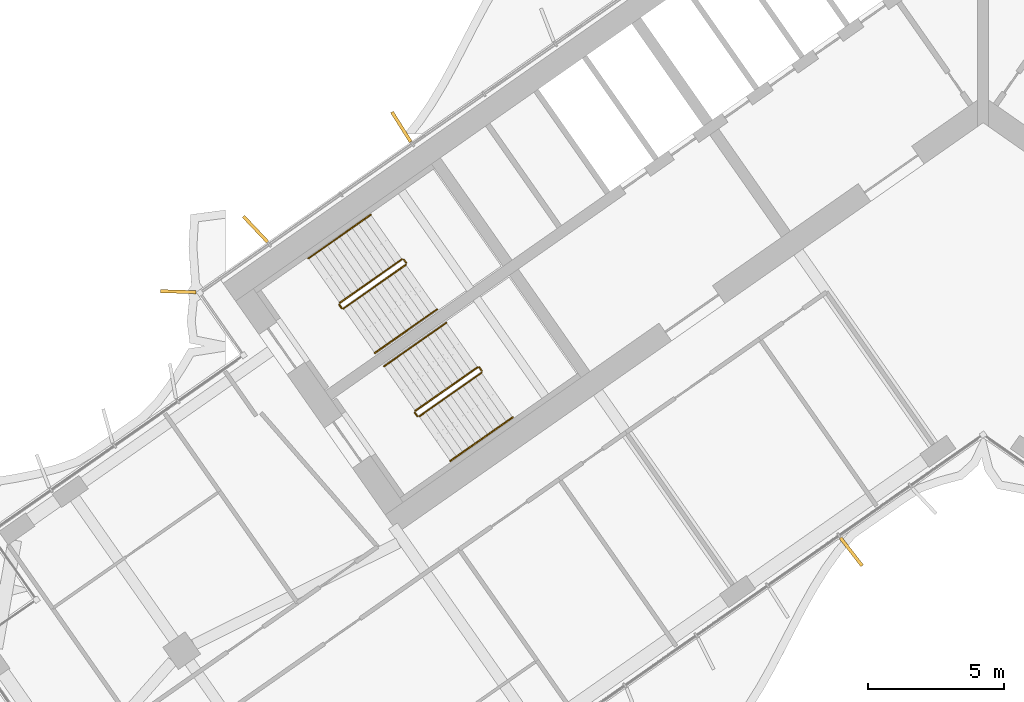
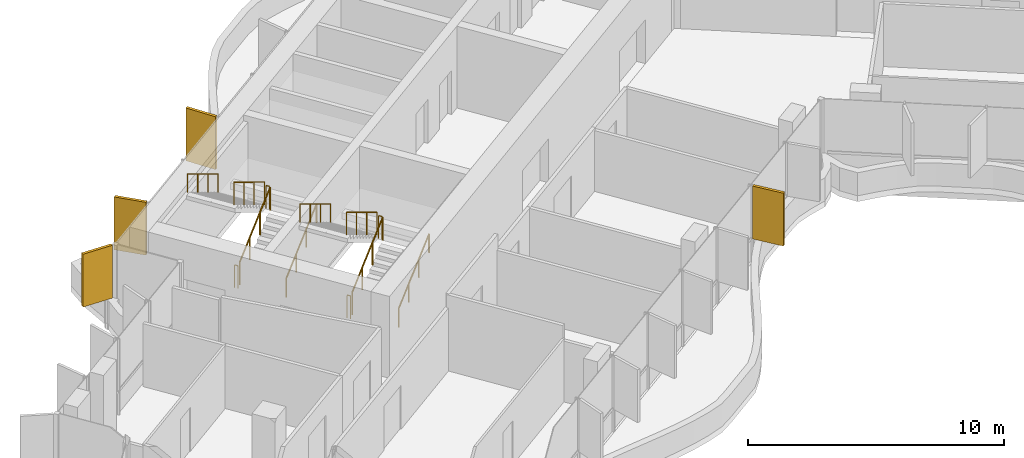
# One storey, part 20 of 23: 12 railings, 4 shading devices.
"""IFC4 building model written with IfcOpenShell, lengths in metres."""

import ifcopenshell
import ifcopenshell.guid

model = None  # the IFC model being written
_history = None  # IfcOwnerHistory: only IFC2X3 demands one
_inside = {}  # id of a spatial element -> (the spatial element, [elements in it])
_under = {}  # id of a project, library or spatial element -> (it, [spatial elements below it])
_declared = {}  # id of a project -> (the project, [libraries it declares])
_typed = {}  # id of a type object -> (the type object, [elements of that type])
_made_of = {}  # id of a material, layer set ... -> (it, [elements and type objects made of it])


def new_model(schema):
    """Start an empty IFC model of exactly this schema.

    Asked for "IFC4X3", IfcOpenShell would pick the latest addendum, in which some entities
    have other attributes; the version numbers below select the first issue.
    IFC2X3 requires an IfcOwnerHistory on every rooted entity: one is made here for all.
    """
    global model, _history
    if schema == "IFC4X3":
        model = ifcopenshell.file(schema_version=(4, 3, 0, 0))
    else:
        model = ifcopenshell.file(schema=schema)
    _inside.clear()
    _under.clear()
    _declared.clear()
    _typed.clear()
    _made_of.clear()
    _history = None
    if model.schema == "IFC2X3":
        org = make("IfcOrganization", Name="unknown")
        user = make(
            "IfcPersonAndOrganization",
            ThePerson=make("IfcPerson", FamilyName="unknown"),
            TheOrganization=org,
        )
        app = make(
            "IfcApplication",
            ApplicationDeveloper=org,
            Version="unknown",
            ApplicationFullName="unknown",
            ApplicationIdentifier="unknown",
        )
        _history = make(
            "IfcOwnerHistory",
            OwningUser=user,
            OwningApplication=app,
            ChangeAction="ADDED",
            CreationDate=0,
        )
    return model


def make(cls, **values):
    """One entity of the class cls with the attributes given. An attribute that is None is left unset."""
    return model.create_entity(
        cls, **{name: value for name, value in values.items() if value is not None}
    )


def rooted(cls, **values):
    """An entity with a GlobalId (a new one), such as an element, a storey or a relation."""
    return make(cls, GlobalId=ifcopenshell.guid.new(), OwnerHistory=_history, **values)


def si_unit(unit_type, name, prefix=None):
    """IfcSIUnit, for example si_unit("LENGTHUNIT", "METRE", prefix="MILLI")."""
    return make("IfcSIUnit", UnitType=unit_type, Prefix=prefix, Name=name)


def assignment(units):
    """IfcUnitAssignment: the units of a project."""
    return None if units is None else make("IfcUnitAssignment", Units=units)


def point(xyz):
    """IfcCartesianPoint."""
    return None if xyz is None else make("IfcCartesianPoint", Coordinates=xyz)


def direction(xyz):
    """IfcDirection."""
    return None if xyz is None else make("IfcDirection", DirectionRatios=xyz)


def frame(location, z_axis=None, x_axis=None):
    """IfcAxis2Placement3D, a coordinate frame: its origin and axes. An axis left out is left unset."""
    return make(
        "IfcAxis2Placement3D",
        Location=point(location),
        Axis=direction(z_axis),
        RefDirection=direction(x_axis),
    )


def frame_2d(location, x_axis=None):
    """IfcAxis2Placement2D, a coordinate frame in the plane: its origin and x axis."""
    return make(
        "IfcAxis2Placement2D", Location=point(location), RefDirection=direction(x_axis)
    )


def origin():
    """The frame at (0, 0, 0) with its axes left unset."""
    return frame((0.0, 0.0, 0.0))


def origin_2d():
    """The frame at (0, 0) in the plane with its x axis left unset."""
    return frame_2d((0.0, 0.0))


def place(relative_to, where):
    """IfcLocalPlacement: puts the frame where relative to a parent placement (None: the world)."""
    return make(
        "IfcLocalPlacement", PlacementRelTo=relative_to, RelativePlacement=where
    )


def context(
    kind, dimensions, precision=None, world=None, true_north=None, identifier=None
):
    """IfcGeometricRepresentationContext, for example the 3D "Model" context."""
    return make(
        "IfcGeometricRepresentationContext",
        ContextIdentifier=identifier,
        ContextType=kind,
        CoordinateSpaceDimension=dimensions,
        Precision=precision,
        WorldCoordinateSystem=world,
        TrueNorth=true_north,
    )


def subcontext(parent, identifier, kind, view, scale=None):
    """IfcGeometricRepresentationSubContext, for example "Body" below "Model"."""
    return make(
        "IfcGeometricRepresentationSubContext",
        ContextIdentifier=identifier,
        ContextType=kind,
        ParentContext=parent,
        TargetScale=scale,
        TargetView=view,
    )


def project(units=None, contexts=None):
    """IfcProject with its units and contexts."""
    return rooted(
        "IfcProject",
        Name="project",
        RepresentationContexts=contexts,
        UnitsInContext=assignment(units),
    )


def spatial(cls, under=None, at=None, **own):
    """A site, building, storey or space (cls), placed at a placement, below another one or the project."""
    s = rooted(cls, ObjectPlacement=at, **own)
    if under is not None:
        _under.setdefault(under.id(), (under, []))[1].append(s)
    return s


def profile(cls, at=None, kind="AREA", **sizes):
    """A parametric profile (cls). Its sizes go by their IFC names, for example OverallWidth=200.0."""
    return make(cls, ProfileType=kind, Position=at, **sizes)


def rectangle(**sizes):
    """IfcRectangleProfileDef."""
    return profile("IfcRectangleProfileDef", **sizes)


def circle(**sizes):
    """IfcCircleProfileDef."""
    return profile("IfcCircleProfileDef", **sizes)


def extrude(swept, where, along, depth):
    """IfcExtrudedAreaSolid: the profile swept, set in the frame where, extruded along a direction by depth."""
    return make(
        "IfcExtrudedAreaSolid",
        SweptArea=swept,
        Position=where,
        ExtrudedDirection=direction(along),
        Depth=depth,
    )


def shape(context_of_items, identifier, shape_type, items):
    """IfcShapeRepresentation: the items that make up one representation, for example the "Body"."""
    return make(
        "IfcShapeRepresentation",
        ContextOfItems=context_of_items,
        RepresentationIdentifier=identifier,
        RepresentationType=shape_type,
        Items=items,
    )


def material(Name=None, Category=None):
    """IfcMaterial."""
    return make("IfcMaterial", Name=Name, Category=Category)


def layer(
    of_material, thickness, ventilated=None, Name=None, Category=None, Priority=None
):
    """IfcMaterialLayer: one layer of a wall or slab, of a material (None: an air gap)."""
    return make(
        "IfcMaterialLayer",
        Material=of_material,
        LayerThickness=thickness,
        IsVentilated=ventilated,
        Name=Name,
        Category=Category,
        Priority=Priority,
    )


def layer_set(layers, Name=None):
    """IfcMaterialLayerSet."""
    return make("IfcMaterialLayerSet", MaterialLayers=layers, LayerSetName=Name)


def made_of(thing, what):
    """Note that an element or type object is made of a material, layer set ...; save() writes the relation."""
    if what is not None:
        _made_of.setdefault(what.id(), (what, []))[1].append(thing)
    return thing


def type_object(cls, material=None, **own):
    """A type object (cls), such as IfcWallType, which elements share."""
    return made_of(rooted(cls, **own), material)


def element(
    cls,
    number,
    at=None,
    inside=None,
    cuts=None,
    type_object=None,
    material=None,
    context=None,
    identifier="Body",
    shape_type=None,
    held_by="IfcProductDefinitionShape",
    body=None,
    shapes=None,
    **own,
):
    """One element of the class cls, such as IfcWall. Its Tag is "e" and its number.

    at: its placement. inside: the storey or other place that contains it. cuts: it is an
    opening in that element (IfcRelVoidsElement). A single representation is given by context,
    identifier, shape_type and body (its items); several are given by shapes. held_by: the class
    of the entity that holds the representations. save() writes the other relations.
    """
    e = rooted(cls, Tag="e%d" % number, ObjectPlacement=at, **own)
    if body is not None:
        shapes = [shape(context, identifier, shape_type, body)]
    if shapes is not None:
        e.Representation = make(held_by, Representations=shapes)
    if inside is not None:
        _inside.setdefault(inside.id(), (inside, []))[1].append(e)
    if cuts is not None:
        rooted(
            "IfcRelVoidsElement", RelatingBuildingElement=cuts, RelatedOpeningElement=e
        )
    if type_object is not None:
        _typed.setdefault(type_object.id(), (type_object, []))[1].append(e)
    return made_of(e, material)


def aggregate(whole, parts):
    """IfcRelAggregates: a whole, such as a stair, and the parts it consists of."""
    return rooted("IfcRelAggregates", RelatingObject=whole, RelatedObjects=parts)


def save(model, path):
    """Write the relations noted so far, then the file.

    IfcRelAggregates (storeys below a building ...), IfcRelContainedInSpatialStructure (elements
    in a storey), IfcRelDefinesByType, IfcRelAssociatesMaterial and IfcRelDeclares: one each for
    every whole, place, type object, material and project.
    """
    for whole, parts in _under.values():
        aggregate(whole, parts)
    for where, things in _inside.values():
        rooted(
            "IfcRelContainedInSpatialStructure",
            RelatedElements=things,
            RelatingStructure=where,
        )
    for kind, things in _typed.values():
        rooted("IfcRelDefinesByType", RelatedObjects=things, RelatingType=kind)
    for what, things in _made_of.values():
        rooted("IfcRelAssociatesMaterial", RelatedObjects=things, RelatingMaterial=what)
    for by, libraries in _declared.values():
        rooted("IfcRelDeclares", RelatingContext=by, RelatedDefinitions=libraries)
    model.write(path)


model = new_model("IFC4")

# Units and contexts
model_context = context("Model", 3, precision=1e-05, world=origin(), true_north=direction((0.0, 1.0)))
body_context = subcontext(model_context, "Body", "Model", "MODEL_VIEW")
ifc_project = project(units=[si_unit("LENGTHUNIT", "METRE"), si_unit("AREAUNIT", "SQUARE_METRE"), si_unit("VOLUMEUNIT", "CUBIC_METRE"), si_unit("PLANEANGLEUNIT", "RADIAN"), si_unit("MASSUNIT", "GRAM", prefix="KILO")], contexts=[model_context])

# Site, building, storey
site_placement = place(None, origin())
site = spatial("IfcSite", under=ifc_project, at=site_placement, CompositionType="ELEMENT")
building_placement = place(site_placement, origin())
building = spatial("IfcBuilding", under=site, at=building_placement, Name="Tel Ilan Convention Tower", CompositionType="ELEMENT")
storey_placement = place(building_placement, frame((0.0, 0.0, 182.699951171875)))
storey = spatial("IfcBuildingStorey", under=building, at=storey_placement, Name="L42", CompositionType="ELEMENT", Elevation=182.699951171875)

# Shading devices
ifc_material_1 = material(Name="Aluminium, bronze anodised", Category="aluminium")
ifc_layer = layer(ifc_material_1, 0.1201171875)
ifc_layer_set = layer_set([ifc_layer], Name="FIN BRONZE 1300x120")
shading_device_type = type_object("IfcShadingDeviceType", Name="FIN BRONZE 1300x120", PredefinedType="USERDEFINED", material=ifc_layer_set)
for number, where, z_axis, x_axis, name in (
    (1, (-21.408935546875, -1.376953125, 1.10009765625), (0.0, 0.0, 1.0), (-0.533204432798, 0.845986425922, 0.0), "FIN"),
    (2, (-26.77685546875, -5.13623046875, 1.10009765625), (0.0, 0.0, 1.0), (-0.686241637865, 0.727373641577, 0.0), "FIN"),
    (3, (-29.61669921875, -7.438720703125, 1.10009765625), (0.0, 0.0, 1.0), (-0.999576950082, 0.029084718749, 0.0), "FIN"),
    (4, (-4.850830078125, -17.01025390625, 1.10009765625), (0.0, 0.0, 1.0), (0.612600545196, -0.790392669516, 0.0), "FIN"),
):
    element("IfcShadingDevice", number, at=place(storey_placement, frame(where, z_axis=z_axis, x_axis=x_axis)), inside=storey, type_object=shading_device_type, Name=name, ObjectType="FIN", PredefinedType="USERDEFINED", context=body_context, shape_type="SweptSolid", body=[
        extrude(rectangle(XDim=1.300048828125, YDim=0.1201171875, at=origin_2d()), origin(), (0.0, 0.0, 1.0), 2.52001953125),
    ])

# Railings
ifc_material_2 = material(Name="Stainless Steel Grade 316", Category="steel")
railing_type_1 = type_object("IfcRailingType", Name="Stainless Steel Stair Guard 1100 mm", PredefinedType="GUARDRAIL", material=ifc_material_2)
railing_1_placement = place(storey_placement, frame((-23.535400390625, -8.056396484375, 0.17724609375)))
element("IfcRailing", 5, at=railing_1_placement, inside=storey, type_object=railing_type_1, Name="L42 S1 stair guard 1", PredefinedType="GUARDRAIL", context=body_context, shape_type="SweptSolid", body=[
    extrude(circle(Radius=0.02392578125, at=origin_2d()), frame((0.0, 0.0, 1.076171875), z_axis=(0.692098378994, 0.484653031975, 0.534893701956), x_axis=(-0.573608623498, 0.819129505664, 0.0)), (0.0, 0.0, 1.0), 3.314208984375),
    extrude(circle(Radius=0.02099609375, at=origin_2d()), origin(), (0.0, 0.0, 1.0), 1.052001953125),
    extrude(circle(Radius=0.02099609375, at=origin_2d()), frame((0.7646484375, 0.535400390625, 0.5908203125)), (0.0, 0.0, 1.0), 1.052001953125),
    extrude(circle(Radius=0.02099609375, at=origin_2d()), frame((1.529052734375, 1.07080078125, 1.181884765625)), (0.0, 0.0, 1.0), 1.052001953125),
    extrude(circle(Radius=0.02099609375, at=origin_2d()), frame((2.293701171875, 1.606201171875, 1.772705078125)), (0.0, 0.0, 1.0), 1.052001953125),
])
railing_2_placement = place(storey_placement, frame((-21.2294921875, -6.380615234375, 1.949951171875)))
element("IfcRailing", 6, at=railing_2_placement, inside=storey, type_object=railing_type_1, Name="L42 S1 stair guard 2", PredefinedType="GUARDRAIL", context=body_context, shape_type="SweptSolid", body=[
    extrude(circle(Radius=0.02392578125, at=origin_2d()), frame((0.0, 0.0, 1.076171875), z_axis=(-0.573353020881, 0.819308436089, 0.0), x_axis=(-0.819308436089, -0.573353020881, 0.0)), (0.0, 0.0, 1.0), 0.14990234375),
    extrude(circle(Radius=0.02099609375, at=origin_2d()), origin(), (0.0, 0.0, 1.0), 1.052001953125),
    extrude(circle(Radius=0.02099609375, at=origin_2d()), frame((-0.0859375, 0.122802734375, 0.0)), (0.0, 0.0, 1.0), 1.052001953125),
])
railing_3_placement = place(storey_placement, frame((-21.38525390625, -6.24560546875, 2.12744140625)))
element("IfcRailing", 7, at=railing_3_placement, inside=storey, type_object=railing_type_1, Name="L42 S1 stair guard 3", PredefinedType="GUARDRAIL", context=body_context, shape_type="SweptSolid", body=[
    extrude(circle(Radius=0.02392578125, at=origin_2d()), frame((0.0, 0.0, 1.076171875), z_axis=(-0.692084706163, -0.484621375041, 0.534940073605), x_axis=(0.573591086599, -0.819141785879, 0.0)), (0.0, 0.0, 1.0), 3.313720703125),
    extrude(circle(Radius=0.02099609375, at=origin_2d()), origin(), (0.0, 0.0, 1.0), 1.052001953125),
    extrude(circle(Radius=0.02099609375, at=origin_2d()), frame((-0.764404296875, -0.535400390625, 0.5908203125)), (0.0, 0.0, 1.0), 1.052001953125),
    extrude(circle(Radius=0.02099609375, at=origin_2d()), frame((-1.529052734375, -1.070556640625, 1.181884765625)), (0.0, 0.0, 1.0), 1.052001953125),
    extrude(circle(Radius=0.02099609375, at=origin_2d()), frame((-2.29345703125, -1.60595703125, 1.772705078125)), (0.0, 0.0, 1.0), 1.052001953125),
])
railing_4_placement = place(storey_placement, frame((-23.60498046875, -8.0439453125, 0.0)))
element("IfcRailing", 8, at=railing_4_placement, inside=storey, type_object=railing_type_1, Name="L42 S1 stair guard 4", PredefinedType="GUARDRAIL", context=body_context, shape_type="SweptSolid", body=[
    extrude(circle(Radius=0.02392578125, at=origin_2d()), frame((0.0, 0.0, 1.076171875), z_axis=(-0.574444878118, 0.818543268254, 0.0), x_axis=(-0.818543268254, -0.574444878118, 0.0)), (0.0, 0.0, 1.0), 0.150146484375),
    extrude(circle(Radius=0.02099609375, at=origin_2d()), origin(), (0.0, 0.0, 1.0), 1.052001953125),
    extrude(circle(Radius=0.02099609375, at=origin_2d()), frame((-0.086181640625, 0.122802734375, 0.0)), (0.0, 0.0, 1.0), 1.052001953125),
])
railing_5_placement = place(storey_placement, frame((-20.753662109375, -12.029296875, 0.17724609375)))
element("IfcRailing", 9, at=railing_5_placement, inside=storey, type_object=railing_type_1, Name="L42 S2 stair guard 1", PredefinedType="GUARDRAIL", context=body_context, shape_type="SweptSolid", body=[
    extrude(circle(Radius=0.02392578125, at=origin_2d()), frame((0.0, 0.0, 1.076171875), z_axis=(0.692098378994, 0.484653031975, 0.534893701956), x_axis=(-0.573608623498, 0.819129505664, 0.0)), (0.0, 0.0, 1.0), 3.314208984375),
    extrude(circle(Radius=0.02099609375, at=origin_2d()), origin(), (0.0, 0.0, 1.0), 1.052001953125),
    extrude(circle(Radius=0.02099609375, at=origin_2d()), frame((0.7646484375, 0.535400390625, 0.5908203125)), (0.0, 0.0, 1.0), 1.052001953125),
    extrude(circle(Radius=0.02099609375, at=origin_2d()), frame((1.529052734375, 1.07080078125, 1.181884765625)), (0.0, 0.0, 1.0), 1.052001953125),
    extrude(circle(Radius=0.02099609375, at=origin_2d()), frame((2.293701171875, 1.606201171875, 1.772705078125)), (0.0, 0.0, 1.0), 1.052001953125),
])
railing_6_placement = place(storey_placement, frame((-18.44775390625, -10.353515625, 1.949951171875)))
element("IfcRailing", 10, at=railing_6_placement, inside=storey, type_object=railing_type_1, Name="L42 S2 stair guard 2", PredefinedType="GUARDRAIL", context=body_context, shape_type="SweptSolid", body=[
    extrude(circle(Radius=0.02392578125, at=origin_2d()), frame((0.0, 0.0, 1.076171875), z_axis=(-0.573353020881, 0.819308436089, 0.0), x_axis=(-0.819308436089, -0.573353020881, 0.0)), (0.0, 0.0, 1.0), 0.14990234375),
    extrude(circle(Radius=0.02099609375, at=origin_2d()), origin(), (0.0, 0.0, 1.0), 1.052001953125),
    extrude(circle(Radius=0.02099609375, at=origin_2d()), frame((-0.0859375, 0.122802734375, 0.0)), (0.0, 0.0, 1.0), 1.052001953125),
])
railing_7_placement = place(storey_placement, frame((-18.603271484375, -10.218505859375, 2.12744140625)))
element("IfcRailing", 11, at=railing_7_placement, inside=storey, type_object=railing_type_1, Name="L42 S2 stair guard 3", PredefinedType="GUARDRAIL", context=body_context, shape_type="SweptSolid", body=[
    extrude(circle(Radius=0.02392578125, at=origin_2d()), frame((0.0, 0.0, 1.076171875), z_axis=(-0.692123088272, -0.484596665743, 0.534912798717), x_axis=(0.573550118428, -0.819170471667, 0.0)), (0.0, 0.0, 1.0), 3.31396484375),
    extrude(circle(Radius=0.02099609375, at=origin_2d()), origin(), (0.0, 0.0, 1.0), 1.052001953125),
    extrude(circle(Radius=0.02099609375, at=origin_2d()), frame((-0.7646484375, -0.535400390625, 0.5908203125)), (0.0, 0.0, 1.0), 1.052001953125),
    extrude(circle(Radius=0.02099609375, at=origin_2d()), frame((-1.529052734375, -1.070556640625, 1.181884765625)), (0.0, 0.0, 1.0), 1.052001953125),
    extrude(circle(Radius=0.02099609375, at=origin_2d()), frame((-2.293701171875, -1.60595703125, 1.772705078125)), (0.0, 0.0, 1.0), 1.052001953125),
])
railing_8_placement = place(storey_placement, frame((-20.8232421875, -12.016845703125, 0.0)))
element("IfcRailing", 12, at=railing_8_placement, inside=storey, type_object=railing_type_1, Name="L42 S2 stair guard 4", PredefinedType="GUARDRAIL", context=body_context, shape_type="SweptSolid", body=[
    extrude(circle(Radius=0.02392578125, at=origin_2d()), frame((0.0, 0.0, 1.076171875), z_axis=(-0.573353020881, 0.819308436089, 0.0), x_axis=(-0.819308436089, -0.573353020881, 0.0)), (0.0, 0.0, 1.0), 0.14990234375),
    extrude(circle(Radius=0.02099609375, at=origin_2d()), origin(), (0.0, 0.0, 1.0), 1.052001953125),
    extrude(circle(Radius=0.02099609375, at=origin_2d()), frame((-0.0859375, 0.122802734375, 0.0)), (0.0, 0.0, 1.0), 1.052001953125),
])
ifc_material_3 = material(Name="Stainless Steel Grade 316", Category="steel")
railing_type_2 = type_object("IfcRailingType", Name="Stainless Steel Stair Handrail 900 mm", PredefinedType="HANDRAIL", material=ifc_material_3)
railing_9_placement = place(storey_placement, frame((-22.38818359375, -9.694580078125, 0.17724609375)))
element("IfcRailing", 13, at=railing_9_placement, inside=storey, type_object=railing_type_2, Name="L42 S1 stair handrail 1", PredefinedType="HANDRAIL", context=body_context, shape_type="SweptSolid", body=[
    extrude(circle(Radius=0.02392578125, at=origin_2d()), frame((0.0, 0.0, 0.8759765625), z_axis=(0.692084706163, 0.484621375041, 0.534940073605), x_axis=(-0.573591086599, 0.819141785879, 0.0)), (0.0, 0.0, 1.0), 3.313720703125),
    extrude(circle(Radius=0.02099609375, at=origin_2d()), origin(), (0.0, 0.0, 1.0), 0.851806640625),
    extrude(circle(Radius=0.02099609375, at=origin_2d()), frame((0.764404296875, 0.535400390625, 0.5908203125)), (0.0, 0.0, 1.0), 0.851806640625),
    extrude(circle(Radius=0.02099609375, at=origin_2d()), frame((1.529052734375, 1.070556640625, 1.181884765625)), (0.0, 0.0, 1.0), 0.851806640625),
    extrude(circle(Radius=0.02099609375, at=origin_2d()), frame((2.29345703125, 1.60595703125, 1.772705078125)), (0.0, 0.0, 1.0), 0.851806640625),
])
railing_10_placement = place(storey_placement, frame((-22.5322265625, -4.607177734375, 2.12744140625)))
element("IfcRailing", 14, at=railing_10_placement, inside=storey, type_object=railing_type_2, Name="L42 S1 stair handrail 2", PredefinedType="HANDRAIL", context=body_context, shape_type="SweptSolid", body=[
    extrude(circle(Radius=0.02392578125, at=origin_2d()), frame((0.0, 0.0, 0.8759765625), z_axis=(-0.692123088272, -0.484596665743, 0.534912798717), x_axis=(0.573550118428, -0.819170471667, 0.0)), (0.0, 0.0, 1.0), 3.31396484375),
    extrude(circle(Radius=0.02099609375, at=origin_2d()), origin(), (0.0, 0.0, 1.0), 0.851806640625),
    extrude(circle(Radius=0.02099609375, at=origin_2d()), frame((-0.7646484375, -0.535400390625, 0.5908203125)), (0.0, 0.0, 1.0), 0.851806640625),
    extrude(circle(Radius=0.02099609375, at=origin_2d()), frame((-1.529052734375, -1.070556640625, 1.181884765625)), (0.0, 0.0, 1.0), 0.851806640625),
    extrude(circle(Radius=0.02099609375, at=origin_2d()), frame((-2.293701171875, -1.60595703125, 1.772705078125)), (0.0, 0.0, 1.0), 0.851806640625),
])
railing_11_placement = place(storey_placement, frame((-19.6064453125, -13.66748046875, 0.17724609375)))
element("IfcRailing", 15, at=railing_11_placement, inside=storey, type_object=railing_type_2, Name="L42 S2 stair handrail 1", PredefinedType="HANDRAIL", context=body_context, shape_type="SweptSolid", body=[
    extrude(circle(Radius=0.02392578125, at=origin_2d()), frame((0.0, 0.0, 0.8759765625), z_axis=(0.692123088272, 0.484596665743, 0.534912798717), x_axis=(-0.573550118428, 0.819170471667, 0.0)), (0.0, 0.0, 1.0), 3.31396484375),
    extrude(circle(Radius=0.02099609375, at=origin_2d()), origin(), (0.0, 0.0, 1.0), 0.851806640625),
    extrude(circle(Radius=0.02099609375, at=origin_2d()), frame((0.7646484375, 0.535400390625, 0.5908203125)), (0.0, 0.0, 1.0), 0.851806640625),
    extrude(circle(Radius=0.02099609375, at=origin_2d()), frame((1.529052734375, 1.070556640625, 1.181884765625)), (0.0, 0.0, 1.0), 0.851806640625),
    extrude(circle(Radius=0.02099609375, at=origin_2d()), frame((2.293701171875, 1.60595703125, 1.772705078125)), (0.0, 0.0, 1.0), 0.851806640625),
])
railing_12_placement = place(storey_placement, frame((-19.75048828125, -8.580078125, 2.12744140625)))
element("IfcRailing", 16, at=railing_12_placement, inside=storey, type_object=railing_type_2, Name="L42 S2 stair handrail 2", PredefinedType="HANDRAIL", context=body_context, shape_type="SweptSolid", body=[
    extrude(circle(Radius=0.02392578125, at=origin_2d()), frame((0.0, 0.0, 0.8759765625), z_axis=(-0.692123088272, -0.484596665743, 0.534912798717), x_axis=(0.573550118428, -0.819170471667, 0.0)), (0.0, 0.0, 1.0), 3.31396484375),
    extrude(circle(Radius=0.02099609375, at=origin_2d()), origin(), (0.0, 0.0, 1.0), 0.851806640625),
    extrude(circle(Radius=0.02099609375, at=origin_2d()), frame((-0.7646484375, -0.535400390625, 0.5908203125)), (0.0, 0.0, 1.0), 0.851806640625),
    extrude(circle(Radius=0.02099609375, at=origin_2d()), frame((-1.529052734375, -1.070556640625, 1.181884765625)), (0.0, 0.0, 1.0), 0.851806640625),
    extrude(circle(Radius=0.02099609375, at=origin_2d()), frame((-2.293701171875, -1.60595703125, 1.772705078125)), (0.0, 0.0, 1.0), 0.851806640625),
])

save(model, "model.ifc")
